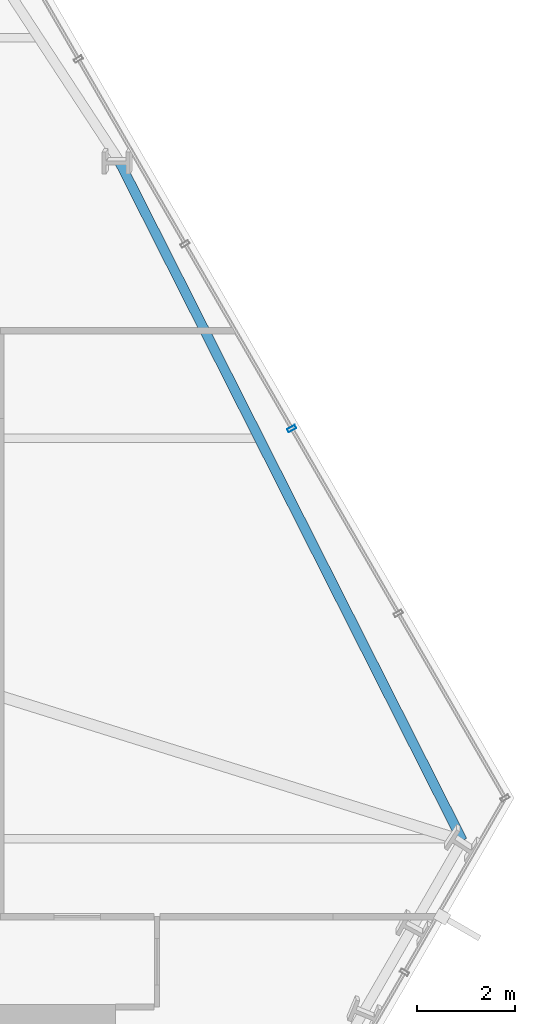
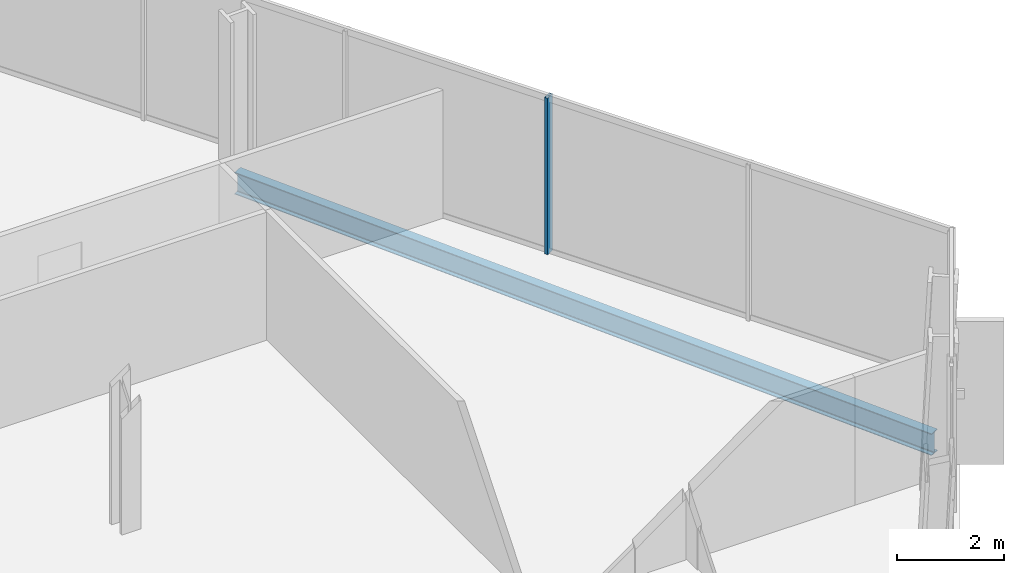
# One storey, part 17 of 33: 1 beam, 1 member, 1 element without a shape of its own.
"""IFC4 building model written with IfcOpenShell, lengths in metres."""

from ifc_helpers import new_model, si_unit, direction, frame, origin, origin_2d, place, context, subcontext, project, spatial, hollow_rectangle, i_section, extrude, material, layer, layer_set, material_profile, profile_set, type_object, element, aggregate, save


model = new_model("IFC4")

# Units and contexts
model_context = context("Model", 3, precision=1e-05, world=origin(), true_north=direction((0.0, 1.0)))
body_context = subcontext(model_context, "Body", "Model", "MODEL_VIEW")
ifc_project = project(units=[si_unit("LENGTHUNIT", "METRE"), si_unit("AREAUNIT", "SQUARE_METRE"), si_unit("VOLUMEUNIT", "CUBIC_METRE"), si_unit("PLANEANGLEUNIT", "RADIAN"), si_unit("MASSUNIT", "GRAM", prefix="KILO")], contexts=[model_context])

# Site, building, storey
site_placement = place(None, origin())
site = spatial("IfcSite", under=ifc_project, at=site_placement, CompositionType="ELEMENT")
building_placement = place(site_placement, origin())
building = spatial("IfcBuilding", under=site, at=building_placement, Name="Ndaravel Arena Tower", CompositionType="ELEMENT")
storey_placement = place(building_placement, frame((0.0, 0.0, 43.60009765625)))
storey = spatial("IfcBuildingStorey", under=building, at=storey_placement, Name="L08", CompositionType="ELEMENT", Elevation=43.60009765625)

# Beam
ifc_material_1 = material(Name="Steel S355", Category="steel")
ifc_material_profile_1 = material_profile(ifc_material_1, i_section(OverallWidth=0.199951171875, OverallDepth=0.5, WebThickness=0.01025390625, FlangeThickness=0.01611328125, FilletRadius=0.02099609375, at=origin_2d()), Name="IPE 500")
ifc_profile_set_1 = profile_set([ifc_material_profile_1], Name="Steel S355")
beam_type = type_object("IfcBeamType", Name="BM-SPAN-IPE500", PredefinedType="SPANDREL", material=ifc_profile_set_1)
beam_placement = place(storey_placement, frame((64.654052734375, 18.55810546875, -0.47021484375), z_axis=(-0.450914536682, 0.892567129469, 0.0), x_axis=(-0.892567129469, -0.450914536682, 0.0)))
element("IfcBeam", 1, at=beam_placement, inside=storey, type_object=beam_type, Name="L08 Perimeter Spandrel Beam SP-09", PredefinedType="SPANDREL", context=body_context, shape_type="SweptSolid", body=[
    extrude(i_section(OverallWidth=0.199951171875, OverallDepth=0.5, WebThickness=0.01025390625, FlangeThickness=0.01611328125, FilletRadius=0.02099609375, at=origin_2d()), origin(), (0.0, 0.0, 1.0), 15.631103515625),
])

# Curtain wall, member
ifc_material_2 = material(Name="Aluminium", Category="aluminium")
ifc_layer = layer(ifc_material_2, 0.179931640625)
ifc_layer_set = layer_set([ifc_layer], Name="Aluminium")
curtain_wall_type = type_object("IfcCurtainWallType", Name="CW-SYS-03", PredefinedType="NOTDEFINED", material=ifc_layer_set)
curtain_wall_placement = place(storey_placement, origin())
curtain_wall = element("IfcCurtainWall", 2, at=curtain_wall_placement, inside=storey, type_object=curtain_wall_type, Name="L08 Faceted Crystal Curtain Wall CW-L08-E03", PredefinedType="NOTDEFINED")
ifc_material_3 = material(Name="Aluminium", Category="aluminium")
ifc_material_profile_2 = material_profile(ifc_material_3, hollow_rectangle(XDim=0.074951171875, YDim=0.179931640625, WallThickness=0.00390625, at=origin_2d()), Name="CW MULLION 75x180x4")
ifc_profile_set_2 = profile_set([ifc_material_profile_2], Name="Aluminium")
member_type = type_object("IfcMemberType", Name="MEM-CW-MUL180", PredefinedType="MULLION", material=ifc_profile_set_2)
member_placement = place(storey_placement, frame((61.158935546875, 26.99560546875, 0.0), z_axis=(0.0, 0.0, 1.0), x_axis=(-0.5, 0.866025403784, 0.0)))
member = element("IfcMember", 3, at=member_placement, type_object=member_type, Name="CW-L08-E03 Mullion 02", PredefinedType="MULLION", context=body_context, shape_type="SweptSolid", body=[
    extrude(hollow_rectangle(XDim=0.074951171875, YDim=0.179931640625, WallThickness=0.00390625, at=origin_2d()), origin(), (0.0, 0.0, 1.0), 3.579833984375),
])
aggregate(curtain_wall, [member])

save(model, "model.ifc")
